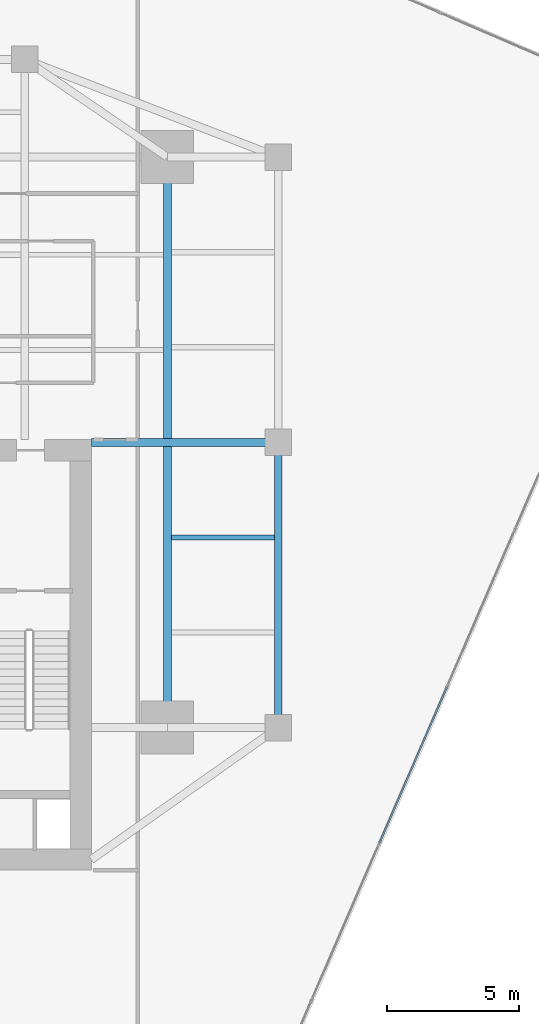
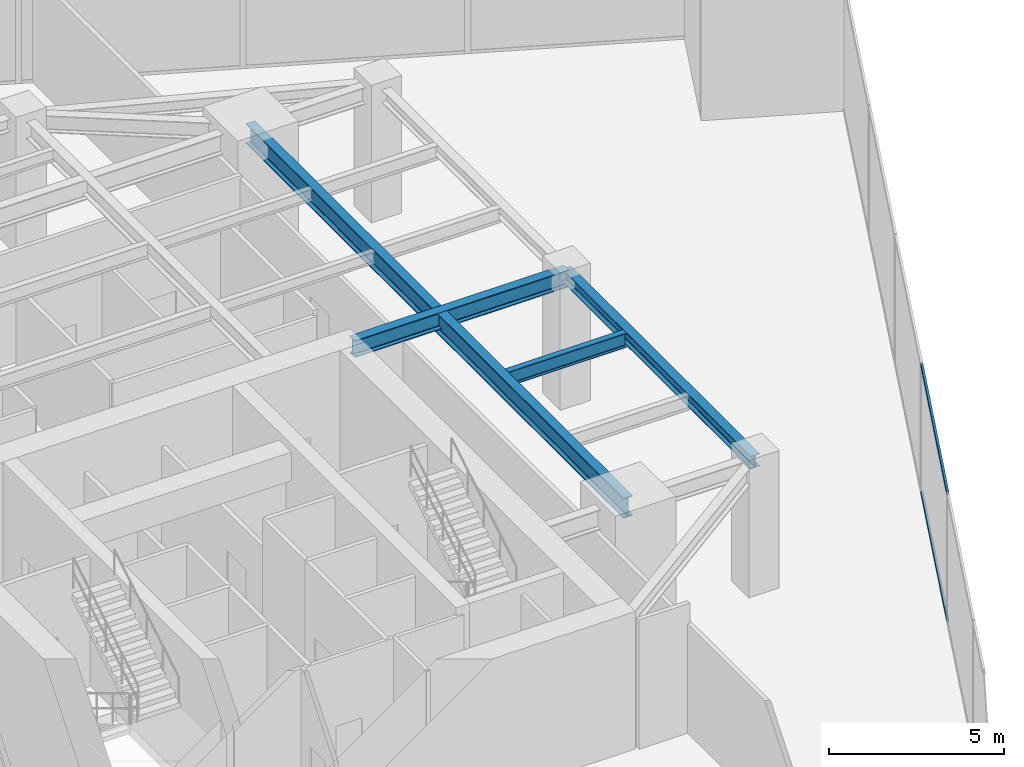
# One storey, part 10 of 24: 4 beams, 2 members, 1 element without a shape of its own.
"""IFC4 building model written with IfcOpenShell, lengths in metres."""

from ifc_helpers import new_model, si_unit, direction, frame, origin, origin_2d, place, context, subcontext, project, spatial, hollow_rectangle, i_section, extrude, source, transform, mapped, material, material_profile, profile_set, type_object, type_shapes, element, aggregate, save


model = new_model("IFC4")

# Units and contexts
model_context = context("Model", 3, precision=1e-05, world=origin(), true_north=direction((0.0, 1.0)))
body_context = subcontext(model_context, "Body", "Model", "MODEL_VIEW")
ifc_project = project(units=[si_unit("LENGTHUNIT", "METRE"), si_unit("AREAUNIT", "SQUARE_METRE"), si_unit("VOLUMEUNIT", "CUBIC_METRE"), si_unit("PLANEANGLEUNIT", "RADIAN"), si_unit("MASSUNIT", "GRAM", prefix="KILO")], contexts=[model_context])

# Site, building, storey
site_placement = place(None, origin())
site = spatial("IfcSite", under=ifc_project, at=site_placement, CompositionType="ELEMENT")
building_placement = place(site_placement, origin())
building = spatial("IfcBuilding", under=site, at=building_placement, Name="Krantzveldt Concourse Tower", CompositionType="ELEMENT")
storey_placement = place(building_placement, frame((0.0, 0.0, 141.39990234375)))
storey = spatial("IfcBuildingStorey", under=building, at=storey_placement, Name="L34", CompositionType="ELEMENT", Elevation=141.39990234375)

# Beams
ifc_material_1 = material(Name="Steel S355J2", Category="steel")
ifc_material_profile_1 = material_profile(ifc_material_1, i_section(OverallWidth=0.300048828125, OverallDepth=0.699951171875, WebThickness=0.01708984375, FlangeThickness=0.031982421875, FilletRadius=0.027099609375, at=origin_2d()), Name="Steel S355J2", Category="steel")
ifc_profile_set_1 = profile_set([ifc_material_profile_1], Name="Steel S355J2 - HEB 700")
beam_type_1 = type_object("IfcBeamType", Name="BM-B-HEB700", PredefinedType="BEAM", material=ifc_profile_set_1)
shared_shape_1 = source(origin(), body_context, "Body", "SweptSolid", [
    extrude(i_section(OverallWidth=0.300048828125, OverallDepth=0.699951171875, WebThickness=0.01708984375, FlangeThickness=0.031982421875, FilletRadius=0.027099609375, at=origin_2d()), origin(), (0.0, 0.0, 1.0), 21.60009765625),
])
type_shapes(beam_type_1, [shared_shape_1])
beam_1_placement = place(storey_placement, frame((46.800048828125, 15.89990234375, 4.170166015625), z_axis=(0.0, 1.0, 0.0), x_axis=(-1.0, 0.0, 0.0)))
element("IfcBeam", 1, at=beam_1_placement, inside=storey, type_object=beam_type_1, Name="L34 Tower Girder BG-ME", PredefinedType="BEAM", context=body_context, shape_type="MappedRepresentation", body=[
    mapped(shared_shape_1, transform((0.0, 0.0, 0.0), x_axis=(1.0, 0.0, 0.0), y_axis=(0.0, 1.0, 0.0), z_axis=(0.0, 0.0, 1.0), scale=1.0)),
])
ifc_material_2 = material(Name="Steel S355JR", Category="steel")
ifc_material_profile_2 = material_profile(ifc_material_2, i_section(OverallWidth=0.300048828125, OverallDepth=0.590087890625, WebThickness=0.012939453125, FlangeThickness=0.02490234375, FilletRadius=0.027099609375, at=origin_2d()), Name="Steel S355JR", Category="steel")
ifc_profile_set_2 = profile_set([ifc_material_profile_2], Name="Steel S355JR - HEA 600")
beam_type_2 = type_object("IfcBeamType", Name="BM-B-HEA600", PredefinedType="BEAM", material=ifc_profile_set_2)
shared_shape_2 = source(origin(), body_context, "Body", "SweptSolid", [
    extrude(i_section(OverallWidth=0.300048828125, OverallDepth=0.590087890625, WebThickness=0.012939453125, FlangeThickness=0.02490234375, FilletRadius=0.027099609375, at=origin_2d()), origin(), (0.0, 0.0, 1.0), 7.080078125),
])
type_shapes(beam_type_2, [shared_shape_2])
beam_2_placement = place(storey_placement, frame((43.919921875, 26.699951171875, 4.22509765625), z_axis=(1.0, 0.0, 0.0), x_axis=(0.0, 1.0, 0.0)))
element("IfcBeam", 2, at=beam_2_placement, inside=storey, type_object=beam_type_2, Name="L34 Tower Girder BG-CE2", PredefinedType="BEAM", context=body_context, shape_type="MappedRepresentation", body=[
    mapped(shared_shape_2, transform((0.0, 0.0, 0.0), x_axis=(1.0, 0.0, 0.0), y_axis=(0.0, 1.0, 0.0), z_axis=(0.0, 0.0, 1.0), scale=1.0)),
])
ifc_material_profile_3 = material_profile(ifc_material_2, i_section(OverallWidth=0.300048828125, OverallDepth=0.43994140625, WebThickness=0.011474609375, FlangeThickness=0.02099609375, FilletRadius=0.027099609375, at=origin_2d()), Name="Steel S355JR", Category="steel")
ifc_profile_set_3 = profile_set([ifc_material_profile_3], Name="Steel S355JR - HEA 450")
beam_type_3 = type_object("IfcBeamType", Name="BM-SP-HEA450", PredefinedType="SPANDREL", material=ifc_profile_set_3)
shared_shape_3 = source(origin(), body_context, "Body", "SweptSolid", [
    extrude(i_section(OverallWidth=0.300048828125, OverallDepth=0.43994140625, WebThickness=0.011474609375, FlangeThickness=0.02099609375, FilletRadius=0.027099609375, at=origin_2d()), origin(), (0.0, 0.0, 1.0), 10.800048828125),
])
type_shapes(beam_type_3, [shared_shape_3])
beam_3_placement = place(storey_placement, frame((51.0, 26.699951171875, 4.300048828125), z_axis=(0.0, -1.0, 0.0), x_axis=(1.0, 0.0, 0.0)))
element("IfcBeam", 3, at=beam_3_placement, inside=storey, type_object=beam_type_3, Name="L34 Tower Girder SP-R07", PredefinedType="SPANDREL", context=body_context, shape_type="MappedRepresentation", body=[
    mapped(shared_shape_3, transform((0.0, 0.0, 0.0), x_axis=(1.0, 0.0, 0.0), y_axis=(0.0, 1.0, 0.0), z_axis=(0.0, 0.0, 1.0), scale=1.0)),
])
ifc_material_profile_4 = material_profile(ifc_material_2, i_section(OverallWidth=0.199951171875, OverallDepth=0.5, WebThickness=0.01025390625, FlangeThickness=0.01611328125, FilletRadius=0.02099609375, at=origin_2d()), Name="Steel S355JR", Category="steel")
ifc_profile_set_4 = profile_set([ifc_material_profile_4], Name="Steel S355JR - IPE 500")
beam_type_4 = type_object("IfcBeamType", Name="BM-J-IPE500", PredefinedType="JOIST", material=ifc_profile_set_4)
shared_shape_4 = source(origin(), body_context, "Body", "SweptSolid", [
    extrude(i_section(OverallWidth=0.199951171875, OverallDepth=0.5, WebThickness=0.01025390625, FlangeThickness=0.01611328125, FilletRadius=0.02099609375, at=origin_2d()), origin(), (0.0, 0.0, 1.0), 3.900146484375),
])
type_shapes(beam_type_4, [shared_shape_4])
beam_4_placement = place(storey_placement, frame((46.949951171875, 23.10009765625, 4.27001953125), z_axis=(1.0, 0.0, 0.0), x_axis=(0.0, 1.0, 0.0)))
element("IfcBeam", 4, at=beam_4_placement, inside=storey, type_object=beam_type_4, Name="L34 Secondary Floor Joist JE-2", PredefinedType="JOIST", context=body_context, shape_type="MappedRepresentation", body=[
    mapped(shared_shape_4, transform((0.0, 0.0, 0.0), x_axis=(1.0, 0.0, 0.0), y_axis=(0.0, 1.0, 0.0), z_axis=(0.0, 0.0, 1.0), scale=1.0)),
])

# Curtain wall, members
ifc_material_3 = material(Name="Anodised aluminium 6063-T6", Category="aluminium")
curtain_wall_type = type_object("IfcCurtainWallType", Name="CW5", PredefinedType="USERDEFINED", material=ifc_material_3)
curtain_wall_placement = place(storey_placement, origin())
curtain_wall = element("IfcCurtainWall", 5, at=curtain_wall_placement, inside=storey, type_object=curtain_wall_type, Name="CW-L34-F07", ObjectType="UNITISED CURTAIN WALL", PredefinedType="USERDEFINED")
ifc_material_profile_5 = material_profile(ifc_material_3, hollow_rectangle(XDim=0.070068359375, YDim=0.139892578125, WallThickness=0.0048828125, at=origin_2d()), Name="Anodised aluminium 6063-T6", Category="aluminium")
ifc_profile_set_5 = profile_set([ifc_material_profile_5], Name="Anodised aluminium 6063-T6 - ALU-TRAN 140x70x5")
member_type = type_object("IfcMemberType", Name="CW-TRN-150", PredefinedType="USERDEFINED", material=ifc_profile_set_5)
shared_shape_5 = source(origin(), body_context, "Body", "SweptSolid", [
    extrude(hollow_rectangle(XDim=0.070068359375, YDim=0.139892578125, WallThickness=0.0048828125, at=origin_2d()), origin(), (0.0, 0.0, 1.0), 6.396484375),
])
type_shapes(member_type, [shared_shape_5])
member_1_placement = place(storey_placement, frame((54.84521484375, 11.548095703125, 0.03515625), z_axis=(0.396750371663, 0.91792654531, 0.0), x_axis=(-0.91792654531, 0.396750371663, 0.0)))
member_1 = element("IfcMember", 6, at=member_1_placement, type_object=member_type, Name="CW-SKY transom 3.1", ObjectType="TRANSOM", PredefinedType="USERDEFINED", context=body_context, shape_type="MappedRepresentation", body=[
    mapped(shared_shape_5, transform((0.0, 0.0, 0.0), x_axis=(1.0, 0.0, 0.0), y_axis=(0.0, 1.0, 0.0), z_axis=(0.0, 0.0, 1.0), scale=1.0)),
])
member_2_placement = place(storey_placement, frame((54.84521484375, 11.548095703125, 4.485107421875), z_axis=(0.396750371663, 0.91792654531, 0.0), x_axis=(-0.91792654531, 0.396750371663, 0.0)))
member_2 = element("IfcMember", 7, at=member_2_placement, type_object=member_type, Name="CW-SKY transom 3.2", ObjectType="TRANSOM", PredefinedType="USERDEFINED", context=body_context, shape_type="MappedRepresentation", body=[
    mapped(shared_shape_5, transform((0.0, 0.0, 0.0), x_axis=(1.0, 0.0, 0.0), y_axis=(0.0, 1.0, 0.0), z_axis=(0.0, 0.0, 1.0), scale=1.0)),
])
aggregate(curtain_wall, [member_1, member_2])

save(model, "model.ifc")
